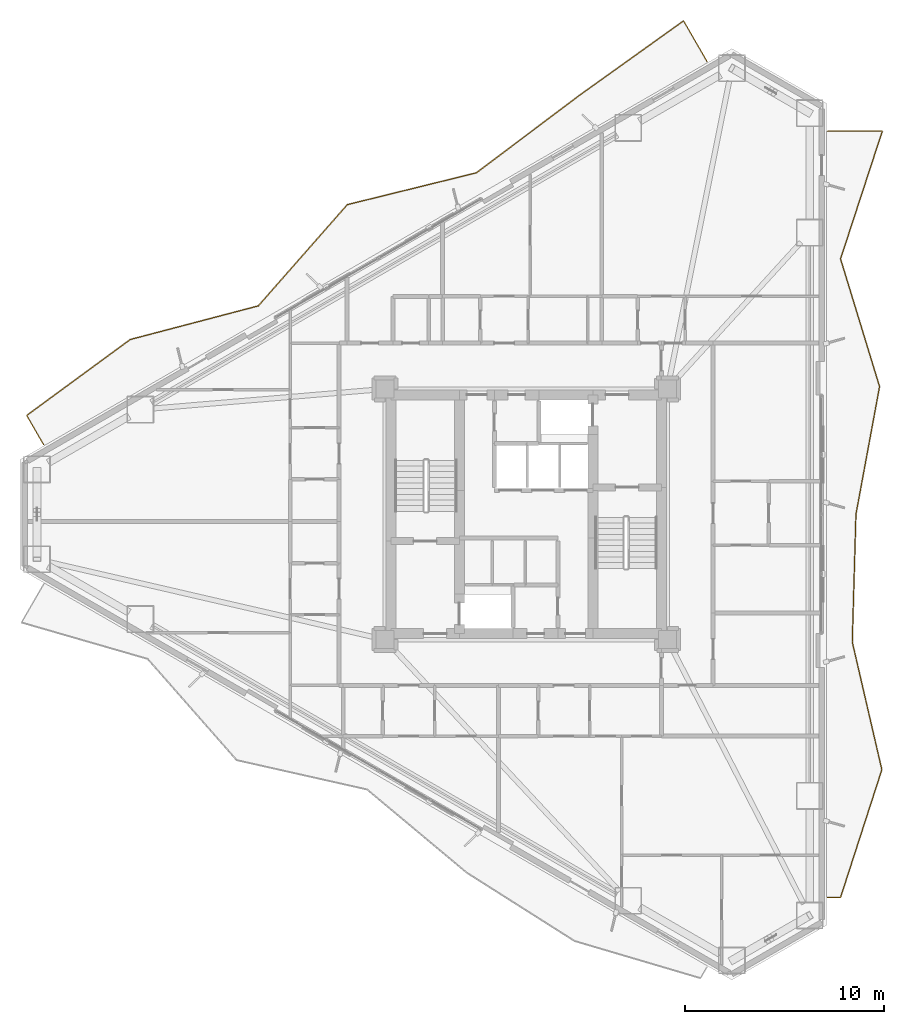
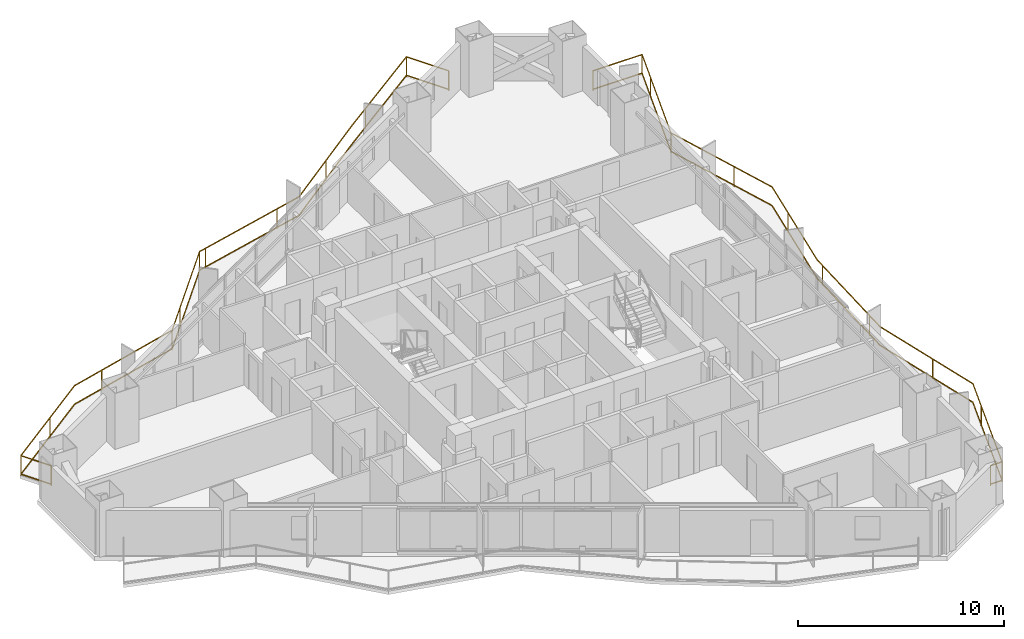
# One storey, part 18 of 18: 2 railings.
"""IFC4 building model written with IfcOpenShell, lengths in metres."""

from ifc_helpers import new_model, si_unit, direction, frame, origin, origin_2d, place, context, subcontext, project, spatial, rectangle, extrude, material, type_object, element, save


model = new_model("IFC4")

# Units and contexts
model_context = context("Model", 3, precision=1e-05, world=origin(), true_north=direction((0.0, 1.0)))
body_context = subcontext(model_context, "Body", "Model", "MODEL_VIEW")
ifc_project = project(units=[si_unit("LENGTHUNIT", "METRE"), si_unit("AREAUNIT", "SQUARE_METRE"), si_unit("VOLUMEUNIT", "CUBIC_METRE"), si_unit("PLANEANGLEUNIT", "RADIAN"), si_unit("MASSUNIT", "GRAM", prefix="KILO")], contexts=[model_context])

# Site, building, storey
site_placement = place(None, origin())
site = spatial("IfcSite", under=ifc_project, at=site_placement, CompositionType="ELEMENT")
building_placement = place(site_placement, origin())
building = spatial("IfcBuilding", under=site, at=building_placement, Name="Mersakhor Tower and Convention Hall", CompositionType="ELEMENT")
storey_placement = place(building_placement, frame((0.0, 0.0, 58.800048828125)))
storey = spatial("IfcBuildingStorey", under=building, at=storey_placement, Name="L16", CompositionType="ELEMENT", Elevation=58.800048828125)

# Railings
ifc_material = material(Name="Powder-coated galvanised steel and laminated glass balustrade", Category="steel")
railing_type = type_object("IfcRailingType", Name="RL-BAL-1200", PredefinedType="BALUSTRADE", material=ifc_material)
railing_1_placement = place(storey_placement, frame((38.099609375, 49.497314453125, 0.0)))
element("IfcRailing", 1, at=railing_1_placement, inside=storey, type_object=railing_type, Name="L16 Sinusoidal Balcony Balustrade F1", PredefinedType="BALUSTRADE", context=body_context, shape_type="SweptSolid", body=[
    extrude(rectangle(XDim=0.048095703125, YDim=0.048095703125, at=origin_2d()), frame((0.0, 0.0, 1.17578125), z_axis=(-0.500073288705, 0.865983086396, 0.0), x_axis=(-0.865983086396, -0.500073288705, 0.0)), (0.0, 0.0, 1.0), 2.369384765625),
    extrude(rectangle(XDim=0.048095703125, YDim=0.048095703125, at=origin_2d()), frame((0.0, 0.0, 0.080078125), z_axis=(-0.500073288705, 0.865983086396, 0.0), x_axis=(-0.865983086396, -0.500073288705, 0.0)), (0.0, 0.0, 1.0), 2.369384765625),
    extrude(rectangle(XDim=0.048095703125, YDim=0.048095703125, at=origin_2d()), frame((-1.184814453125, 2.0517578125, 1.17578125), z_axis=(-0.813357253982, -0.58176453776, 0.0), x_axis=(0.58176453776, -0.813357253982, 0.0)), (0.0, 0.0, 1.0), 6.448486328125),
    extrude(rectangle(XDim=0.048095703125, YDim=0.048095703125, at=origin_2d()), frame((-1.184814453125, 2.0517578125, 0.080078125), z_axis=(-0.813357253982, -0.58176453776, 0.0), x_axis=(0.58176453776, -0.813357253982, 0.0)), (0.0, 0.0, 1.0), 6.448486328125),
    extrude(rectangle(XDim=0.048095703125, YDim=0.048095703125, at=origin_2d()), frame((-6.4296875, -1.69970703125, 1.17578125), z_axis=(-0.799247174238, -0.601002457959, 0.0), x_axis=(0.601002457959, -0.799247174238, 0.0)), (0.0, 0.0, 1.0), 6.46533203125),
    extrude(rectangle(XDim=0.048095703125, YDim=0.048095703125, at=origin_2d()), frame((-6.4296875, -1.69970703125, 0.080078125), z_axis=(-0.799247174238, -0.601002457959, 0.0), x_axis=(0.601002457959, -0.799247174238, 0.0)), (0.0, 0.0, 1.0), 6.46533203125),
    extrude(rectangle(XDim=0.048095703125, YDim=0.048095703125, at=origin_2d()), frame((-11.59716796875, -5.58544921875, 1.17578125), z_axis=(-0.970930407813, -0.239361950159, 0.0), x_axis=(0.239361950159, -0.970930407813, 0.0)), (0.0, 0.0, 1.0), 6.681884765625),
    extrude(rectangle(XDim=0.048095703125, YDim=0.048095703125, at=origin_2d()), frame((-11.59716796875, -5.58544921875, 0.080078125), z_axis=(-0.970930407813, -0.239361950159, 0.0), x_axis=(0.239361950159, -0.970930407813, 0.0)), (0.0, 0.0, 1.0), 6.681884765625),
    extrude(rectangle(XDim=0.048095703125, YDim=0.048095703125, at=origin_2d()), frame((-18.084716796875, -7.184814453125, 1.17578125), z_axis=(-0.6602427576, -0.75105226252, 0.0), x_axis=(0.75105226252, -0.6602427576, 0.0)), (0.0, 0.0, 1.0), 6.77490234375),
    extrude(rectangle(XDim=0.048095703125, YDim=0.048095703125, at=origin_2d()), frame((-18.084716796875, -7.184814453125, 0.080078125), z_axis=(-0.6602427576, -0.75105226252, 0.0), x_axis=(0.75105226252, -0.6602427576, 0.0)), (0.0, 0.0, 1.0), 6.77490234375),
    extrude(rectangle(XDim=0.048095703125, YDim=0.048095703125, at=origin_2d()), frame((-22.557861328125, -12.273193359375, 1.17578125), z_axis=(-0.967215081203, -0.253958631853, 0.0), x_axis=(0.253958631853, -0.967215081203, 0.0)), (0.0, 0.0, 1.0), 6.6533203125),
    extrude(rectangle(XDim=0.048095703125, YDim=0.048095703125, at=origin_2d()), frame((-22.557861328125, -12.273193359375, 0.080078125), z_axis=(-0.967215081203, -0.253958631853, 0.0), x_axis=(0.253958631853, -0.967215081203, 0.0)), (0.0, 0.0, 1.0), 6.6533203125),
    extrude(rectangle(XDim=0.048095703125, YDim=0.048095703125, at=origin_2d()), frame((-28.9931640625, -13.962890625, 1.17578125), z_axis=(-0.806325646748, -0.591471851737, 0.0), x_axis=(0.591471851737, -0.806325646748, 0.0)), (0.0, 0.0, 1.0), 6.45654296875),
    extrude(rectangle(XDim=0.048095703125, YDim=0.048095703125, at=origin_2d()), frame((-28.9931640625, -13.962890625, 0.080078125), z_axis=(-0.806325646748, -0.591471851737, 0.0), x_axis=(0.591471851737, -0.806325646748, 0.0)), (0.0, 0.0, 1.0), 6.45654296875),
    extrude(rectangle(XDim=0.048095703125, YDim=0.048095703125, at=origin_2d()), frame((-34.19921875, -17.78173828125, 1.17578125), z_axis=(0.500062241894, -0.865989465428, 0.0), x_axis=(0.865989465428, 0.500062241894, 0.0)), (0.0, 0.0, 1.0), 1.699951171875),
    extrude(rectangle(XDim=0.048095703125, YDim=0.048095703125, at=origin_2d()), frame((-34.19921875, -17.78173828125, 0.080078125), z_axis=(0.500062241894, -0.865989465428, 0.0), x_axis=(0.865989465428, 0.500062241894, 0.0)), (0.0, 0.0, 1.0), 1.699951171875),
    extrude(rectangle(XDim=0.0419921875, YDim=0.0419921875, at=origin_2d()), origin(), (0.0, 0.0, 1.0), 1.15185546875),
    extrude(rectangle(XDim=0.0419921875, YDim=0.0419921875, at=origin_2d()), frame((-1.184814453125, 2.0517578125, 0.0)), (0.0, 0.0, 1.0), 1.15185546875),
    extrude(rectangle(XDim=0.0419921875, YDim=0.0419921875, at=origin_2d()), frame((-5.0888671875, -0.74072265625, 0.0)), (0.0, 0.0, 1.0), 1.15185546875),
    extrude(rectangle(XDim=0.0419921875, YDim=0.0419921875, at=origin_2d()), frame((-8.948486328125, -3.59375, 0.0)), (0.0, 0.0, 1.0), 1.15185546875),
    extrude(rectangle(XDim=0.0419921875, YDim=0.0419921875, at=origin_2d()), frame((-13.0400390625, -5.941162109375, 0.0)), (0.0, 0.0, 1.0), 1.15185546875),
    extrude(rectangle(XDim=0.0419921875, YDim=0.0419921875, at=origin_2d()), frame((-17.70068359375, -7.090087890625, 0.0)), (0.0, 0.0, 1.0), 1.15185546875),
    extrude(rectangle(XDim=0.0419921875, YDim=0.0419921875, at=origin_2d()), frame((-18.084716796875, -7.184814453125, 0.0)), (0.0, 0.0, 1.0), 1.15185546875),
    extrude(rectangle(XDim=0.0419921875, YDim=0.0419921875, at=origin_2d()), frame((-21.25390625, -10.789794921875, 0.0)), (0.0, 0.0, 1.0), 1.15185546875),
    extrude(rectangle(XDim=0.0419921875, YDim=0.0419921875, at=origin_2d()), frame((-22.557861328125, -12.273193359375, 0.0)), (0.0, 0.0, 1.0), 1.15185546875),
    extrude(rectangle(XDim=0.0419921875, YDim=0.0419921875, at=origin_2d()), frame((-27.200439453125, -13.4921875, 0.0)), (0.0, 0.0, 1.0), 1.15185546875),
    extrude(rectangle(XDim=0.0419921875, YDim=0.0419921875, at=origin_2d()), frame((-31.369140625, -15.705810546875, 0.0)), (0.0, 0.0, 1.0), 1.15185546875),
    extrude(rectangle(XDim=0.0419921875, YDim=0.0419921875, at=origin_2d()), frame((-34.19921875, -17.78173828125, 0.0)), (0.0, 0.0, 1.0), 1.15185546875),
    extrude(rectangle(XDim=0.0419921875, YDim=0.0419921875, at=origin_2d()), frame((-33.34912109375, -19.25390625, 0.0)), (0.0, 0.0, 1.0), 1.15185546875),
])
railing_2_placement = place(storey_placement, frame((44.14990234375, 7.49609375, 0.0)))
element("IfcRailing", 2, at=railing_2_placement, inside=storey, type_object=railing_type, Name="L16 Sinusoidal Balcony Balustrade F2", PredefinedType="BALUSTRADE", context=body_context, shape_type="SweptSolid", body=[
    extrude(rectangle(XDim=0.048095703125, YDim=0.048095703125, at=origin_2d()), frame((0.0, 0.0, 1.17578125), z_axis=(1.0, 0.0, 0.0), x_axis=(0.0, 1.0, 0.0)), (0.0, 0.0, 1.0), 0.650146484375),
    extrude(rectangle(XDim=0.048095703125, YDim=0.048095703125, at=origin_2d()), frame((0.0, 0.0, 0.080078125), z_axis=(1.0, 0.0, 0.0), x_axis=(0.0, 1.0, 0.0)), (0.0, 0.0, 1.0), 0.650146484375),
    extrude(rectangle(XDim=0.048095703125, YDim=0.048095703125, at=origin_2d()), frame((0.650146484375, 0.0, 1.17578125), z_axis=(0.30775668324, 0.95146509338, 0.0), x_axis=(-0.95146509338, 0.30775668324, 0.0)), (0.0, 0.0, 1.0), 6.745361328125),
    extrude(rectangle(XDim=0.048095703125, YDim=0.048095703125, at=origin_2d()), frame((0.650146484375, 0.0, 0.080078125), z_axis=(0.30775668324, 0.95146509338, 0.0), x_axis=(-0.95146509338, 0.30775668324, 0.0)), (0.0, 0.0, 1.0), 6.745361328125),
    extrude(rectangle(XDim=0.048095703125, YDim=0.048095703125, at=origin_2d()), frame((2.72607421875, 6.41796875, 1.17578125), z_axis=(-0.225652453902, 0.974207867987, 0.0), x_axis=(-0.974207867987, -0.225652453902, 0.0)), (0.0, 0.0, 1.0), 6.587890625),
    extrude(rectangle(XDim=0.048095703125, YDim=0.048095703125, at=origin_2d()), frame((2.72607421875, 6.41796875, 0.080078125), z_axis=(-0.225652453902, 0.974207867987, 0.0), x_axis=(-0.974207867987, -0.225652453902, 0.0)), (0.0, 0.0, 1.0), 6.587890625),
    extrude(rectangle(XDim=0.048095703125, YDim=0.048095703125, at=origin_2d()), frame((1.239501953125, 12.8359375, 1.17578125), z_axis=(0.028670497689, 0.999588916786, 0.0), x_axis=(-0.999588916786, 0.028670497689, 0.0)), (0.0, 0.0, 1.0), 6.420654296875),
    extrude(rectangle(XDim=0.048095703125, YDim=0.048095703125, at=origin_2d()), frame((1.239501953125, 12.8359375, 0.080078125), z_axis=(0.028670497689, 0.999588916786, 0.0), x_axis=(-0.999588916786, 0.028670497689, 0.0)), (0.0, 0.0, 1.0), 6.420654296875),
    extrude(rectangle(XDim=0.048095703125, YDim=0.048095703125, at=origin_2d()), frame((1.423583984375, 19.25390625, 1.17578125), z_axis=(0.181866904455, 0.983323155969, 0.0), x_axis=(-0.983323155969, 0.181866904455, 0.0)), (0.0, 0.0, 1.0), 6.52685546875),
    extrude(rectangle(XDim=0.048095703125, YDim=0.048095703125, at=origin_2d()), frame((1.423583984375, 19.25390625, 0.080078125), z_axis=(0.181866904455, 0.983323155969, 0.0), x_axis=(-0.983323155969, 0.181866904455, 0.0)), (0.0, 0.0, 1.0), 6.52685546875),
    extrude(rectangle(XDim=0.048095703125, YDim=0.048095703125, at=origin_2d()), frame((2.610595703125, 25.671875, 1.17578125), z_axis=(-0.292137197826, 0.956376420478, 0.0), x_axis=(-0.956376420478, -0.292137197826, 0.0)), (0.0, 0.0, 1.0), 6.710693359375),
    extrude(rectangle(XDim=0.048095703125, YDim=0.048095703125, at=origin_2d()), frame((2.610595703125, 25.671875, 0.080078125), z_axis=(-0.292137197826, 0.956376420478, 0.0), x_axis=(-0.956376420478, -0.292137197826, 0.0)), (0.0, 0.0, 1.0), 6.710693359375),
    extrude(rectangle(XDim=0.048095703125, YDim=0.048095703125, at=origin_2d()), frame((0.650146484375, 32.08984375, 1.17578125), z_axis=(0.310701164344, 0.950507646721, 0.0), x_axis=(-0.950507646721, 0.310701164344, 0.0)), (0.0, 0.0, 1.0), 6.752197265625),
    extrude(rectangle(XDim=0.048095703125, YDim=0.048095703125, at=origin_2d()), frame((0.650146484375, 32.08984375, 0.080078125), z_axis=(0.310701164344, 0.950507646721, 0.0), x_axis=(-0.950507646721, 0.310701164344, 0.0)), (0.0, 0.0, 1.0), 6.752197265625),
    extrude(rectangle(XDim=0.048095703125, YDim=0.048095703125, at=origin_2d()), frame((2.748046875, 38.5078125, 1.17578125), z_axis=(-1.0, 0.0, 0.0), x_axis=(0.0, -1.0, 0.0)), (0.0, 0.0, 1.0), 2.748046875),
    extrude(rectangle(XDim=0.048095703125, YDim=0.048095703125, at=origin_2d()), frame((2.748046875, 38.5078125, 0.080078125), z_axis=(-1.0, 0.0, 0.0), x_axis=(0.0, -1.0, 0.0)), (0.0, 0.0, 1.0), 2.748046875),
    extrude(rectangle(XDim=0.0419921875, YDim=0.0419921875, at=origin_2d()), origin(), (0.0, 0.0, 1.0), 1.15185546875),
    extrude(rectangle(XDim=0.0419921875, YDim=0.0419921875, at=origin_2d()), frame((0.650146484375, 0.0, 0.0)), (0.0, 0.0, 1.0), 1.15185546875),
    extrude(rectangle(XDim=0.0419921875, YDim=0.0419921875, at=origin_2d()), frame((2.12744140625, 4.567138671875, 0.0)), (0.0, 0.0, 1.0), 1.15185546875),
    extrude(rectangle(XDim=0.0419921875, YDim=0.0419921875, at=origin_2d()), frame((2.08203125, 9.198974609375, 0.0)), (0.0, 0.0, 1.0), 1.15185546875),
    extrude(rectangle(XDim=0.0419921875, YDim=0.0419921875, at=origin_2d()), frame((1.27001953125, 13.90234375, 0.0)), (0.0, 0.0, 1.0), 1.15185546875),
    extrude(rectangle(XDim=0.0419921875, YDim=0.0419921875, at=origin_2d()), frame((1.40771484375, 18.7001953125, 0.0)), (0.0, 0.0, 1.0), 1.15185546875),
    extrude(rectangle(XDim=0.0419921875, YDim=0.0419921875, at=origin_2d()), frame((2.19580078125, 23.42919921875, 0.0)), (0.0, 0.0, 1.0), 1.15185546875),
    extrude(rectangle(XDim=0.0419921875, YDim=0.0419921875, at=origin_2d()), frame((1.87451171875, 28.081298828125, 0.0)), (0.0, 0.0, 1.0), 1.15185546875),
    extrude(rectangle(XDim=0.0419921875, YDim=0.0419921875, at=origin_2d()), frame((0.650146484375, 32.08984375, 0.0)), (0.0, 0.0, 1.0), 1.15185546875),
    extrude(rectangle(XDim=0.0419921875, YDim=0.0419921875, at=origin_2d()), frame((2.1416015625, 36.65234375, 0.0)), (0.0, 0.0, 1.0), 1.15185546875),
    extrude(rectangle(XDim=0.0419921875, YDim=0.0419921875, at=origin_2d()), frame((2.748046875, 38.5078125, 0.0)), (0.0, 0.0, 1.0), 1.15185546875),
    extrude(rectangle(XDim=0.0419921875, YDim=0.0419921875, at=origin_2d()), frame((0.0, 38.5078125, 0.0)), (0.0, 0.0, 1.0), 1.15185546875),
])

save(model, "model.ifc")
